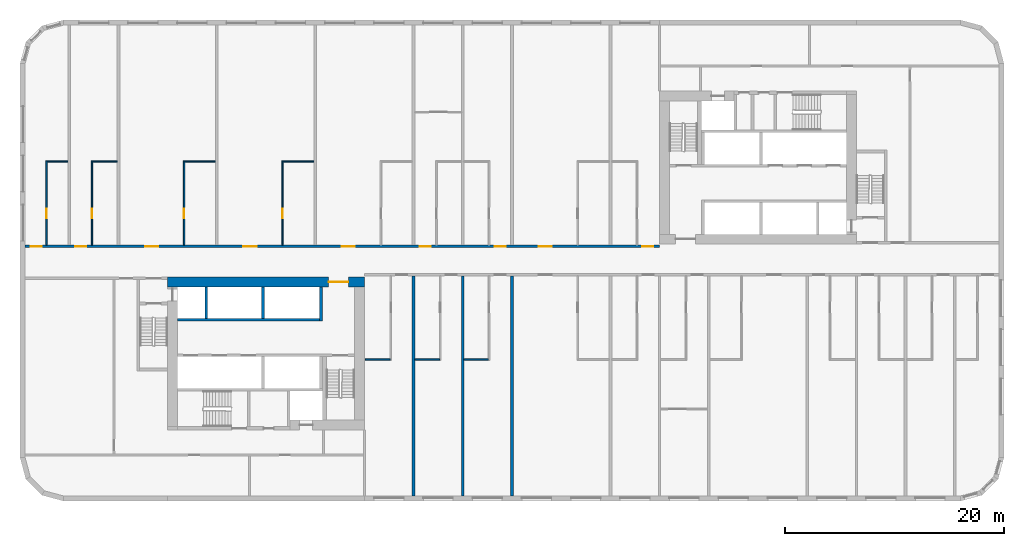
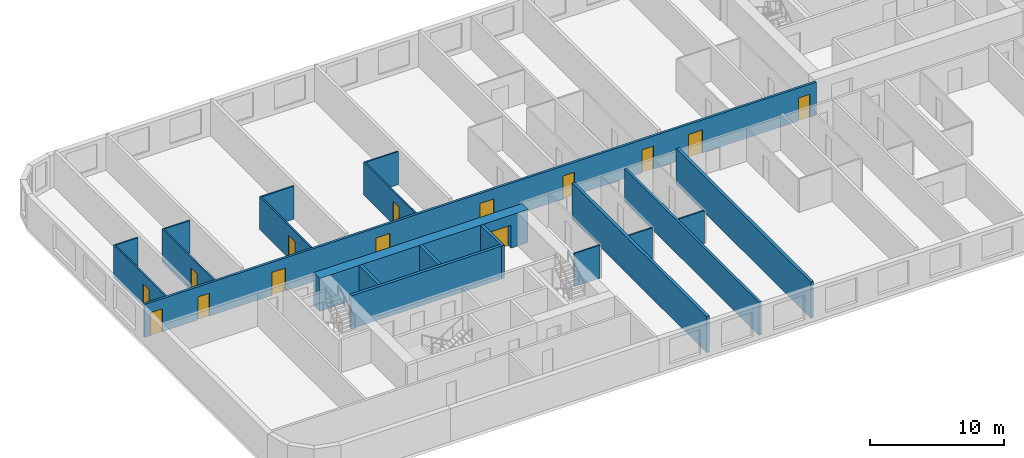
# One storey, part 3 of 12: 20 walls, 14 doors, 14 openings.
"""IFC4 building model written with IfcOpenShell, lengths in metres."""

import ifcopenshell
import ifcopenshell.guid

model = None  # the IFC model being written
_history = None  # IfcOwnerHistory: only IFC2X3 demands one
_inside = {}  # id of a spatial element -> (the spatial element, [elements in it])
_under = {}  # id of a project, library or spatial element -> (it, [spatial elements below it])
_declared = {}  # id of a project -> (the project, [libraries it declares])
_typed = {}  # id of a type object -> (the type object, [elements of that type])
_made_of = {}  # id of a material, layer set ... -> (it, [elements and type objects made of it])


def new_model(schema):
    """Start an empty IFC model of exactly this schema.

    Asked for "IFC4X3", IfcOpenShell would pick the latest addendum, in which some entities
    have other attributes; the version numbers below select the first issue.
    IFC2X3 requires an IfcOwnerHistory on every rooted entity: one is made here for all.
    """
    global model, _history
    if schema == "IFC4X3":
        model = ifcopenshell.file(schema_version=(4, 3, 0, 0))
    else:
        model = ifcopenshell.file(schema=schema)
    _inside.clear()
    _under.clear()
    _declared.clear()
    _typed.clear()
    _made_of.clear()
    _history = None
    if model.schema == "IFC2X3":
        org = make("IfcOrganization", Name="unknown")
        user = make(
            "IfcPersonAndOrganization",
            ThePerson=make("IfcPerson", FamilyName="unknown"),
            TheOrganization=org,
        )
        app = make(
            "IfcApplication",
            ApplicationDeveloper=org,
            Version="unknown",
            ApplicationFullName="unknown",
            ApplicationIdentifier="unknown",
        )
        _history = make(
            "IfcOwnerHistory",
            OwningUser=user,
            OwningApplication=app,
            ChangeAction="ADDED",
            CreationDate=0,
        )
    return model


def make(cls, **values):
    """One entity of the class cls with the attributes given. An attribute that is None is left unset."""
    return model.create_entity(
        cls, **{name: value for name, value in values.items() if value is not None}
    )


def rooted(cls, **values):
    """An entity with a GlobalId (a new one), such as an element, a storey or a relation."""
    return make(cls, GlobalId=ifcopenshell.guid.new(), OwnerHistory=_history, **values)


def si_unit(unit_type, name, prefix=None):
    """IfcSIUnit, for example si_unit("LENGTHUNIT", "METRE", prefix="MILLI")."""
    return make("IfcSIUnit", UnitType=unit_type, Prefix=prefix, Name=name)


def assignment(units):
    """IfcUnitAssignment: the units of a project."""
    return None if units is None else make("IfcUnitAssignment", Units=units)


def point(xyz):
    """IfcCartesianPoint."""
    return None if xyz is None else make("IfcCartesianPoint", Coordinates=xyz)


def direction(xyz):
    """IfcDirection."""
    return None if xyz is None else make("IfcDirection", DirectionRatios=xyz)


def frame(location, z_axis=None, x_axis=None):
    """IfcAxis2Placement3D, a coordinate frame: its origin and axes. An axis left out is left unset."""
    return make(
        "IfcAxis2Placement3D",
        Location=point(location),
        Axis=direction(z_axis),
        RefDirection=direction(x_axis),
    )


def frame_2d(location, x_axis=None):
    """IfcAxis2Placement2D, a coordinate frame in the plane: its origin and x axis."""
    return make(
        "IfcAxis2Placement2D", Location=point(location), RefDirection=direction(x_axis)
    )


def origin():
    """The frame at (0, 0, 0) with its axes left unset."""
    return frame((0.0, 0.0, 0.0))


def place(relative_to, where):
    """IfcLocalPlacement: puts the frame where relative to a parent placement (None: the world)."""
    return make(
        "IfcLocalPlacement", PlacementRelTo=relative_to, RelativePlacement=where
    )


def context(
    kind, dimensions, precision=None, world=None, true_north=None, identifier=None
):
    """IfcGeometricRepresentationContext, for example the 3D "Model" context."""
    return make(
        "IfcGeometricRepresentationContext",
        ContextIdentifier=identifier,
        ContextType=kind,
        CoordinateSpaceDimension=dimensions,
        Precision=precision,
        WorldCoordinateSystem=world,
        TrueNorth=true_north,
    )


def subcontext(parent, identifier, kind, view, scale=None):
    """IfcGeometricRepresentationSubContext, for example "Body" below "Model"."""
    return make(
        "IfcGeometricRepresentationSubContext",
        ContextIdentifier=identifier,
        ContextType=kind,
        ParentContext=parent,
        TargetScale=scale,
        TargetView=view,
    )


def project(units=None, contexts=None):
    """IfcProject with its units and contexts."""
    return rooted(
        "IfcProject",
        Name="project",
        RepresentationContexts=contexts,
        UnitsInContext=assignment(units),
    )


def spatial(cls, under=None, at=None, **own):
    """A site, building, storey or space (cls), placed at a placement, below another one or the project."""
    s = rooted(cls, ObjectPlacement=at, **own)
    if under is not None:
        _under.setdefault(under.id(), (under, []))[1].append(s)
    return s


def profile(cls, at=None, kind="AREA", **sizes):
    """A parametric profile (cls). Its sizes go by their IFC names, for example OverallWidth=200.0."""
    return make(cls, ProfileType=kind, Position=at, **sizes)


def rectangle(**sizes):
    """IfcRectangleProfileDef."""
    return profile("IfcRectangleProfileDef", **sizes)


def extrude(swept, where, along, depth):
    """IfcExtrudedAreaSolid: the profile swept, set in the frame where, extruded along a direction by depth."""
    return make(
        "IfcExtrudedAreaSolid",
        SweptArea=swept,
        Position=where,
        ExtrudedDirection=direction(along),
        Depth=depth,
    )


def shape(context_of_items, identifier, shape_type, items):
    """IfcShapeRepresentation: the items that make up one representation, for example the "Body"."""
    return make(
        "IfcShapeRepresentation",
        ContextOfItems=context_of_items,
        RepresentationIdentifier=identifier,
        RepresentationType=shape_type,
        Items=items,
    )


def material(Name=None, Category=None):
    """IfcMaterial."""
    return make("IfcMaterial", Name=Name, Category=Category)


def layer(
    of_material, thickness, ventilated=None, Name=None, Category=None, Priority=None
):
    """IfcMaterialLayer: one layer of a wall or slab, of a material (None: an air gap)."""
    return make(
        "IfcMaterialLayer",
        Material=of_material,
        LayerThickness=thickness,
        IsVentilated=ventilated,
        Name=Name,
        Category=Category,
        Priority=Priority,
    )


def layer_set(layers, Name=None):
    """IfcMaterialLayerSet."""
    return make("IfcMaterialLayerSet", MaterialLayers=layers, LayerSetName=Name)


def made_of(thing, what):
    """Note that an element or type object is made of a material, layer set ...; save() writes the relation."""
    if what is not None:
        _made_of.setdefault(what.id(), (what, []))[1].append(thing)
    return thing


def type_object(cls, material=None, **own):
    """A type object (cls), such as IfcWallType, which elements share."""
    return made_of(rooted(cls, **own), material)


def element(
    cls,
    number,
    at=None,
    inside=None,
    cuts=None,
    type_object=None,
    material=None,
    context=None,
    identifier="Body",
    shape_type=None,
    held_by="IfcProductDefinitionShape",
    body=None,
    shapes=None,
    **own,
):
    """One element of the class cls, such as IfcWall. Its Tag is "e" and its number.

    at: its placement. inside: the storey or other place that contains it. cuts: it is an
    opening in that element (IfcRelVoidsElement). A single representation is given by context,
    identifier, shape_type and body (its items); several are given by shapes. held_by: the class
    of the entity that holds the representations. save() writes the other relations.
    """
    e = rooted(cls, Tag="e%d" % number, ObjectPlacement=at, **own)
    if body is not None:
        shapes = [shape(context, identifier, shape_type, body)]
    if shapes is not None:
        e.Representation = make(held_by, Representations=shapes)
    if inside is not None:
        _inside.setdefault(inside.id(), (inside, []))[1].append(e)
    if cuts is not None:
        rooted(
            "IfcRelVoidsElement", RelatingBuildingElement=cuts, RelatedOpeningElement=e
        )
    if type_object is not None:
        _typed.setdefault(type_object.id(), (type_object, []))[1].append(e)
    return made_of(e, material)


def fill(opening, filler):
    """IfcRelFillsElement: the door or window that sits in an opening."""
    return rooted(
        "IfcRelFillsElement",
        RelatingOpeningElement=opening,
        RelatedBuildingElement=filler,
    )


def aggregate(whole, parts):
    """IfcRelAggregates: a whole, such as a stair, and the parts it consists of."""
    return rooted("IfcRelAggregates", RelatingObject=whole, RelatedObjects=parts)


def save(model, path):
    """Write the relations noted so far, then the file.

    IfcRelAggregates (storeys below a building ...), IfcRelContainedInSpatialStructure (elements
    in a storey), IfcRelDefinesByType, IfcRelAssociatesMaterial and IfcRelDeclares: one each for
    every whole, place, type object, material and project.
    """
    for whole, parts in _under.values():
        aggregate(whole, parts)
    for where, things in _inside.values():
        rooted(
            "IfcRelContainedInSpatialStructure",
            RelatedElements=things,
            RelatingStructure=where,
        )
    for kind, things in _typed.values():
        rooted("IfcRelDefinesByType", RelatedObjects=things, RelatingType=kind)
    for what, things in _made_of.values():
        rooted("IfcRelAssociatesMaterial", RelatedObjects=things, RelatingMaterial=what)
    for by, libraries in _declared.values():
        rooted("IfcRelDeclares", RelatingContext=by, RelatedDefinitions=libraries)
    model.write(path)


model = new_model("IFC4")

# Units and contexts
model_context = context("Model", 3, precision=1e-05, world=origin(), true_north=direction((0.0, 1.0)))
body_context = subcontext(model_context, "Body", "Model", "MODEL_VIEW")
ifc_project = project(units=[si_unit("LENGTHUNIT", "METRE"), si_unit("AREAUNIT", "SQUARE_METRE"), si_unit("VOLUMEUNIT", "CUBIC_METRE"), si_unit("PLANEANGLEUNIT", "RADIAN"), si_unit("MASSUNIT", "GRAM", prefix="KILO")], contexts=[model_context])

# Site, building, storey
site_placement = place(None, origin())
site = spatial("IfcSite", under=ifc_project, at=site_placement, CompositionType="ELEMENT")
building_placement = place(site_placement, origin())
building = spatial("IfcBuilding", under=site, at=building_placement, Name="Kajstack Hotel Tower", CompositionType="ELEMENT")
storey_placement = place(building_placement, frame((0.0, 0.0, 83.10009765625)))
storey = spatial("IfcBuildingStorey", under=building, at=storey_placement, Name="L16", CompositionType="ELEMENT", Elevation=83.10009765625)

# Wall, opening, door
ifc_material_1 = material(Name="Concrete C60/75", Category="concrete")
ifc_layer_1 = layer(ifc_material_1, 0.89990234375)
ifc_layer_set_1 = layer_set([ifc_layer_1], Name="Core wall 900")
wall_type_1 = type_object("IfcWallType", Name="Core wall 900", PredefinedType="SHEAR", material=ifc_layer_set_1)
wall_1_placement = place(storey_placement, frame((-31.5, -1.949951171875, 0.0), z_axis=(0.0, 0.0, 1.0), x_axis=(1.0, 0.0, 0.0)))
wall_1 = element("IfcWall", 1, at=wall_1_placement, inside=storey, type_object=wall_type_1, Name="Core wall W RN", PredefinedType="SHEAR", context=body_context, shape_type="SweptSolid", body=[
    extrude(rectangle(XDim=18.0, YDim=0.89990234375, at=frame_2d((9.0, 0.0))), origin(), (0.0, 0.0, 1.0), 3.02001953125),
])
opening_1_placement = place(wall_1_placement, frame((14.72509765625, 0.0, 0.0)))
opening_1 = element("IfcOpeningElement", 2, at=opening_1_placement, cuts=wall_1, Name="Opening 16W06", PredefinedType="OPENING", context=body_context, shape_type="SweptSolid", body=[
    extrude(rectangle(XDim=1.800048828125, YDim=2.10009765625, at=frame_2d((0.89990234375, 1.050048828125))), frame((0.0, 0.4599609375, 0.0), z_axis=(0.0, -1.0, 0.0), x_axis=(1.0, 0.0, 0.0)), (0.0, 0.0, 1.0), 0.919921875),
])
ifc_material_2 = material(Name="Glazed steel frame, fire-rated glass", Category="steel")
door_type_1 = type_object("IfcDoorType", Name="Lobby double door 1800", OperationType="DOUBLE_DOOR_DOUBLE_SWING", PredefinedType="DOOR", material=ifc_material_2)
door_1_placement = place(opening_1_placement, origin())
door_1 = element("IfcDoor", 3, at=door_1_placement, inside=storey, type_object=door_type_1, Name="Door 16W06", OperationType="DOUBLE_DOOR_DOUBLE_SWING", OverallHeight=2.10009765625, OverallWidth=1.800048828125, PredefinedType="DOOR", context=body_context, shape_type="SweptSolid", body=[
    extrude(rectangle(XDim=1.800048828125, YDim=2.10009765625, at=frame_2d((0.89990234375, 1.050048828125))), frame((0.0, 0.02490234375, 0.0), z_axis=(0.0, -1.0, 0.0), x_axis=(1.0, 0.0, 0.0)), (0.0, 0.0, 1.0), 0.050048828125),
])
fill(opening_1, door_1)

# Wall, openings, doors
ifc_material_3 = material(Name="Gypsum board on steel studs, mineral wool", Category="steel")
ifc_layer_2 = layer(ifc_material_3, 0.199951171875)
ifc_layer_set_2 = layer_set([ifc_layer_2], Name="Corridor wall 200")
wall_type_2 = type_object("IfcWallType", Name="Corridor wall 200", PredefinedType="PARTITIONING", material=ifc_layer_set_2)
wall_2_placement = place(storey_placement, frame((-44.550048828125, 1.300048828125, 0.0), z_axis=(0.0, 0.0, 1.0), x_axis=(1.0, 0.0, 0.0)))
wall_2 = element("IfcWall", 4, at=wall_2_placement, inside=storey, type_object=wall_type_2, Name="G-wall-L16-003", PredefinedType="PARTITIONING", context=body_context, shape_type="SweptSolid", body=[
    extrude(rectangle(XDim=58.050048828125, YDim=0.199951171875, at=frame_2d((29.02490234375, 0.0))), origin(), (0.0, 0.0, 1.0), 3.02001953125),
])
opening_2_placement = place(wall_2_placement, frame((0.52490234375, 0.0, 0.0)))
opening_2 = element("IfcOpeningElement", 5, at=opening_2_placement, cuts=wall_2, Name="Opening 16001", PredefinedType="OPENING", context=body_context, shape_type="SweptSolid", body=[
    extrude(rectangle(XDim=1.0, YDim=2.10009765625, at=frame_2d((0.5, 1.050048828125))), frame((0.0, 0.10986328125, 0.0), z_axis=(0.0, -1.0, 0.0), x_axis=(1.0, 0.0, 0.0)), (0.0, 0.0, 1.0), 0.219970703125),
])
opening_3_placement = place(wall_2_placement, frame((4.625, 0.0, 0.0)))
opening_3 = element("IfcOpeningElement", 6, at=opening_3_placement, cuts=wall_2, Name="Opening 16003", PredefinedType="OPENING", context=body_context, shape_type="SweptSolid", body=[
    extrude(rectangle(XDim=1.0, YDim=2.10009765625, at=frame_2d((0.5, 1.050048828125))), frame((0.0, 0.10986328125, 0.0), z_axis=(0.0, -1.0, 0.0), x_axis=(1.0, 0.0, 0.0)), (0.0, 0.0, 1.0), 0.219970703125),
])
opening_4_placement = place(wall_2_placement, frame((10.987060546875, 0.0, 0.0)))
opening_4 = element("IfcOpeningElement", 7, at=opening_4_placement, cuts=wall_2, Name="Opening 16005", PredefinedType="OPENING", context=body_context, shape_type="SweptSolid", body=[
    extrude(rectangle(XDim=1.199951171875, YDim=2.10009765625, at=frame_2d((0.60009765625, 1.050048828125))), frame((0.0, 0.10986328125, 0.0), z_axis=(0.0, -1.0, 0.0), x_axis=(1.0, 0.0, 0.0)), (0.0, 0.0, 1.0), 0.219970703125),
])
opening_5_placement = place(wall_2_placement, frame((19.987060546875, 0.0, 0.0)))
opening_5 = element("IfcOpeningElement", 8, at=opening_5_placement, cuts=wall_2, Name="Opening 16007", PredefinedType="OPENING", context=body_context, shape_type="SweptSolid", body=[
    extrude(rectangle(XDim=1.199951171875, YDim=2.10009765625, at=frame_2d((0.60009765625, 1.050048828125))), frame((0.0, 0.10986328125, 0.0), z_axis=(0.0, -1.0, 0.0), x_axis=(1.0, 0.0, 0.0)), (0.0, 0.0, 1.0), 0.219970703125),
])
opening_6_placement = place(wall_2_placement, frame((28.987060546875, 0.0, 0.0)))
opening_6 = element("IfcOpeningElement", 9, at=opening_6_placement, cuts=wall_2, Name="Opening 16009", PredefinedType="OPENING", context=body_context, shape_type="SweptSolid", body=[
    extrude(rectangle(XDim=1.199951171875, YDim=2.10009765625, at=frame_2d((0.60009765625, 1.050048828125))), frame((0.0, 0.10986328125, 0.0), z_axis=(0.0, -1.0, 0.0), x_axis=(1.0, 0.0, 0.0)), (0.0, 0.0, 1.0), 0.219970703125),
])
opening_7_placement = place(wall_2_placement, frame((36.125, 0.0, 0.0)))
opening_7 = element("IfcOpeningElement", 10, at=opening_7_placement, cuts=wall_2, Name="Opening 16011", PredefinedType="OPENING", context=body_context, shape_type="SweptSolid", body=[
    extrude(rectangle(XDim=1.0, YDim=2.10009765625, at=frame_2d((0.5, 1.050048828125))), frame((0.0, 0.10986328125, 0.0), z_axis=(0.0, -1.0, 0.0), x_axis=(1.0, 0.0, 0.0)), (0.0, 0.0, 1.0), 0.219970703125),
])
opening_8_placement = place(wall_2_placement, frame((42.97509765625, 0.0, 0.0)))
opening_8 = element("IfcOpeningElement", 11, at=opening_8_placement, cuts=wall_2, Name="Opening 16014", PredefinedType="OPENING", context=body_context, shape_type="SweptSolid", body=[
    extrude(rectangle(XDim=1.0, YDim=2.10009765625, at=frame_2d((0.5, 1.050048828125))), frame((0.0, 0.10986328125, 0.0), z_axis=(0.0, -1.0, 0.0), x_axis=(1.0, 0.0, 0.0)), (0.0, 0.0, 1.0), 0.219970703125),
])
opening_9_placement = place(wall_2_placement, frame((46.987060546875, 0.0, 0.0)))
opening_9 = element("IfcOpeningElement", 12, at=opening_9_placement, cuts=wall_2, Name="Opening 16016", PredefinedType="OPENING", context=body_context, shape_type="SweptSolid", body=[
    extrude(rectangle(XDim=1.199951171875, YDim=2.10009765625, at=frame_2d((0.60009765625, 1.050048828125))), frame((0.0, 0.10986328125, 0.0), z_axis=(0.0, -1.0, 0.0), x_axis=(1.0, 0.0, 0.0)), (0.0, 0.0, 1.0), 0.219970703125),
])
opening_10_placement = place(wall_2_placement, frame((56.47509765625, 0.0, 0.0)))
opening_10 = element("IfcOpeningElement", 13, at=opening_10_placement, cuts=wall_2, Name="Opening 16018", PredefinedType="OPENING", context=body_context, shape_type="SweptSolid", body=[
    extrude(rectangle(XDim=1.0, YDim=2.10009765625, at=frame_2d((0.5, 1.050048828125))), frame((0.0, 0.10986328125, 0.0), z_axis=(0.0, -1.0, 0.0), x_axis=(1.0, 0.0, 0.0)), (0.0, 0.0, 1.0), 0.219970703125),
])
ifc_material_4 = material(Name="Oak veneer on timber core, fire-rated leaf", Category="wood")
door_type_2 = type_object("IfcDoorType", Name="Flat entrance door 1000", OperationType="SINGLE_SWING_LEFT", PredefinedType="DOOR", material=ifc_material_4)
door_2_placement = place(opening_2_placement, origin())
door_2 = element("IfcDoor", 14, at=door_2_placement, inside=storey, type_object=door_type_2, Name="G-door-L16-01", OperationType="SINGLE_SWING_LEFT", OverallHeight=2.10009765625, OverallWidth=1.0, PredefinedType="DOOR", context=body_context, shape_type="SweptSolid", body=[
    extrude(rectangle(XDim=1.0, YDim=2.10009765625, at=frame_2d((0.5, 1.050048828125))), frame((0.0, 0.02490234375, 0.0), z_axis=(0.0, -1.0, 0.0), x_axis=(1.0, 0.0, 0.0)), (0.0, 0.0, 1.0), 0.050048828125),
])
fill(opening_2, door_2)
door_3_placement = place(opening_3_placement, origin())
door_3 = element("IfcDoor", 15, at=door_3_placement, inside=storey, type_object=door_type_2, Name="G-door-L16-03", OperationType="SINGLE_SWING_LEFT", OverallHeight=2.10009765625, OverallWidth=1.0, PredefinedType="DOOR", context=body_context, shape_type="SweptSolid", body=[
    extrude(rectangle(XDim=1.0, YDim=2.10009765625, at=frame_2d((0.5, 1.050048828125))), frame((0.0, 0.02490234375, 0.0), z_axis=(0.0, -1.0, 0.0), x_axis=(1.0, 0.0, 0.0)), (0.0, 0.0, 1.0), 0.050048828125),
])
fill(opening_3, door_3)
door_4_placement = place(opening_7_placement, origin())
door_4 = element("IfcDoor", 16, at=door_4_placement, inside=storey, type_object=door_type_2, Name="G-door-L16-11", OperationType="SINGLE_SWING_LEFT", OverallHeight=2.10009765625, OverallWidth=1.0, PredefinedType="DOOR", context=body_context, shape_type="SweptSolid", body=[
    extrude(rectangle(XDim=1.0, YDim=2.10009765625, at=frame_2d((0.5, 1.050048828125))), frame((0.0, 0.02490234375, 0.0), z_axis=(0.0, -1.0, 0.0), x_axis=(1.0, 0.0, 0.0)), (0.0, 0.0, 1.0), 0.050048828125),
])
fill(opening_7, door_4)
door_5_placement = place(opening_8_placement, origin())
door_5 = element("IfcDoor", 17, at=door_5_placement, inside=storey, type_object=door_type_2, Name="G-door-L16-14", OperationType="SINGLE_SWING_RIGHT", OverallHeight=2.10009765625, OverallWidth=1.0, PredefinedType="DOOR", context=body_context, shape_type="SweptSolid", body=[
    extrude(rectangle(XDim=1.0, YDim=2.10009765625, at=frame_2d((0.5, 1.050048828125))), frame((0.0, 0.02490234375, 0.0), z_axis=(0.0, -1.0, 0.0), x_axis=(1.0, 0.0, 0.0)), (0.0, 0.0, 1.0), 0.050048828125),
])
fill(opening_8, door_5)
door_6_placement = place(opening_10_placement, origin())
door_6 = element("IfcDoor", 18, at=door_6_placement, inside=storey, type_object=door_type_2, Name="G-door-L16-18", OperationType="SINGLE_SWING_LEFT", OverallHeight=2.10009765625, OverallWidth=1.0, PredefinedType="DOOR", context=body_context, shape_type="SweptSolid", body=[
    extrude(rectangle(XDim=1.0, YDim=2.10009765625, at=frame_2d((0.5, 1.050048828125))), frame((0.0, 0.02490234375, 0.0), z_axis=(0.0, -1.0, 0.0), x_axis=(1.0, 0.0, 0.0)), (0.0, 0.0, 1.0), 0.050048828125),
])
fill(opening_10, door_6)
door_type_3 = type_object("IfcDoorType", Name="Flat entrance door 1200", OperationType="SINGLE_SWING_LEFT", PredefinedType="DOOR", material=ifc_material_4)
door_7_placement = place(opening_4_placement, origin())
door_7 = element("IfcDoor", 19, at=door_7_placement, inside=storey, type_object=door_type_3, Name="G-door-L16-05", OperationType="SINGLE_SWING_RIGHT", OverallHeight=2.10009765625, OverallWidth=1.199951171875, PredefinedType="DOOR", context=body_context, shape_type="SweptSolid", body=[
    extrude(rectangle(XDim=1.199951171875, YDim=2.10009765625, at=frame_2d((0.60009765625, 1.050048828125))), frame((0.0, 0.02490234375, 0.0), z_axis=(0.0, -1.0, 0.0), x_axis=(1.0, 0.0, 0.0)), (0.0, 0.0, 1.0), 0.050048828125),
])
fill(opening_4, door_7)
door_8_placement = place(opening_5_placement, origin())
door_8 = element("IfcDoor", 20, at=door_8_placement, inside=storey, type_object=door_type_3, Name="G-door-L16-07", OperationType="SINGLE_SWING_RIGHT", OverallHeight=2.10009765625, OverallWidth=1.199951171875, PredefinedType="DOOR", context=body_context, shape_type="SweptSolid", body=[
    extrude(rectangle(XDim=1.199951171875, YDim=2.10009765625, at=frame_2d((0.60009765625, 1.050048828125))), frame((0.0, 0.02490234375, 0.0), z_axis=(0.0, -1.0, 0.0), x_axis=(1.0, 0.0, 0.0)), (0.0, 0.0, 1.0), 0.050048828125),
])
fill(opening_5, door_8)
door_9_placement = place(opening_6_placement, origin())
door_9 = element("IfcDoor", 21, at=door_9_placement, inside=storey, type_object=door_type_3, Name="G-door-L16-09", OperationType="SINGLE_SWING_LEFT", OverallHeight=2.10009765625, OverallWidth=1.199951171875, PredefinedType="DOOR", context=body_context, shape_type="SweptSolid", body=[
    extrude(rectangle(XDim=1.199951171875, YDim=2.10009765625, at=frame_2d((0.60009765625, 1.050048828125))), frame((0.0, 0.02490234375, 0.0), z_axis=(0.0, -1.0, 0.0), x_axis=(1.0, 0.0, 0.0)), (0.0, 0.0, 1.0), 0.050048828125),
])
fill(opening_6, door_9)
door_10_placement = place(opening_9_placement, origin())
door_10 = element("IfcDoor", 22, at=door_10_placement, inside=storey, type_object=door_type_3, Name="G-door-L16-16", OperationType="SINGLE_SWING_RIGHT", OverallHeight=2.10009765625, OverallWidth=1.199951171875, PredefinedType="DOOR", context=body_context, shape_type="SweptSolid", body=[
    extrude(rectangle(XDim=1.199951171875, YDim=2.10009765625, at=frame_2d((0.60009765625, 1.050048828125))), frame((0.0, 0.02490234375, 0.0), z_axis=(0.0, -1.0, 0.0), x_axis=(1.0, 0.0, 0.0)), (0.0, 0.0, 1.0), 0.050048828125),
])
fill(opening_9, door_10)

# Wall
ifc_material_5 = material(Name="Twin-frame gypsum board on steel studs, mineral wool", Category="steel")
ifc_layer_3 = layer(ifc_material_5, 0.199951171875)
ifc_layer_set_3 = layer_set([ifc_layer_3], Name="Demising wall 200")
wall_type_3 = type_object("IfcWallType", Name="Demising wall 200", PredefinedType="PARTITIONING", material=ifc_layer_set_3)
wall_3_placement = place(storey_placement, frame((-4.5, -21.550048828125, 0.0), z_axis=(0.0, 0.0, 1.0), x_axis=(0.0, 1.0, 0.0)))
element("IfcWall", 23, at=wall_3_placement, inside=storey, type_object=wall_type_3, Name="G-wall-L16-027", PredefinedType="PARTITIONING", context=body_context, shape_type="SweptSolid", body=[
    extrude(rectangle(XDim=20.150146484375, YDim=0.199951171875, at=frame_2d((10.0751953125, 0.0))), origin(), (0.0, 0.0, 1.0), 3.02001953125),
])

# Wall, opening, door
ifc_material_6 = material(Name="Gypsum board and tiled backer on steel studs", Category="steel")
ifc_layer_4 = layer(ifc_material_6, 0.125)
ifc_layer_set_4 = layer_set([ifc_layer_4], Name="En-suite wall 125")
wall_type_4 = type_object("IfcWallType", Name="En-suite wall 125", PredefinedType="PARTITIONING", material=ifc_layer_set_4)
wall_4_placement = place(storey_placement, frame((-42.5869140625, 1.39990234375, 0.0), z_axis=(0.0, 0.0, 1.0), x_axis=(0.0, 1.0, 0.0)))
wall_4 = element("IfcWall", 24, at=wall_4_placement, inside=storey, type_object=wall_type_4, Name="G-wall-L16-004", PredefinedType="PARTITIONING", context=body_context, shape_type="SweptSolid", body=[
    extrude(rectangle(XDim=7.72509765625, YDim=0.125, at=frame_2d((3.862548828125, 0.0))), origin(), (0.0, 0.0, 1.0), 3.02001953125),
])
opening_11_placement = place(wall_4_placement, frame((2.449951171875, 0.0, 0.0)))
opening_11 = element("IfcOpeningElement", 25, at=opening_11_placement, cuts=wall_4, Name="Opening 16002", PredefinedType="OPENING", context=body_context, shape_type="SweptSolid", body=[
    extrude(rectangle(XDim=0.89990234375, YDim=2.10009765625, at=frame_2d((0.449951171875, 1.050048828125))), frame((0.0, 0.072509765625, 0.0), z_axis=(0.0, -1.0, 0.0), x_axis=(1.0, 0.0, 0.0)), (0.0, 0.0, 1.0), 0.14501953125),
])
ifc_material_7 = material(Name="Painted timber door leaf", Category="wood")
door_type_4 = type_object("IfcDoorType", Name="Room door 900", OperationType="SINGLE_SWING_LEFT", PredefinedType="DOOR", material=ifc_material_7)
door_11_placement = place(opening_11_placement, origin())
door_11 = element("IfcDoor", 26, at=door_11_placement, inside=storey, type_object=door_type_4, Name="G-door-L16-02", OperationType="SINGLE_SWING_RIGHT", OverallHeight=2.10009765625, OverallWidth=0.89990234375, PredefinedType="DOOR", context=body_context, shape_type="SweptSolid", body=[
    extrude(rectangle(XDim=0.89990234375, YDim=2.10009765625, at=frame_2d((0.449951171875, 1.050048828125))), frame((0.0, 0.02490234375, 0.0), z_axis=(0.0, -1.0, 0.0), x_axis=(1.0, 0.0, 0.0)), (0.0, 0.0, 1.0), 0.050048828125),
])
fill(opening_11, door_11)

# Wall
wall_5_placement = place(storey_placement, frame((-42.52490234375, 9.06201171875, 0.0), z_axis=(0.0, 0.0, 1.0), x_axis=(1.0, 0.0, 0.0)))
element("IfcWall", 27, at=wall_5_placement, inside=storey, type_object=wall_type_4, Name="G-wall-L16-005", PredefinedType="PARTITIONING", context=body_context, shape_type="SweptSolid", body=[
    extrude(rectangle(XDim=1.89990234375, YDim=0.125, at=frame_2d((0.949951171875, 0.0))), origin(), (0.0, 0.0, 1.0), 3.02001953125),
])

# Wall, opening, door
wall_6_placement = place(storey_placement, frame((-38.4130859375, 1.39990234375, 0.0), z_axis=(0.0, 0.0, 1.0), x_axis=(0.0, 1.0, 0.0)))
wall_6 = element("IfcWall", 28, at=wall_6_placement, inside=storey, type_object=wall_type_4, Name="G-wall-L16-006", PredefinedType="PARTITIONING", context=body_context, shape_type="SweptSolid", body=[
    extrude(rectangle(XDim=7.72509765625, YDim=0.125, at=frame_2d((3.862548828125, 0.0))), origin(), (0.0, 0.0, 1.0), 3.02001953125),
])
opening_12_placement = place(wall_6_placement, frame((2.449951171875, 0.0, 0.0)))
opening_12 = element("IfcOpeningElement", 29, at=opening_12_placement, cuts=wall_6, Name="Opening 16004", PredefinedType="OPENING", context=body_context, shape_type="SweptSolid", body=[
    extrude(rectangle(XDim=0.89990234375, YDim=2.10009765625, at=frame_2d((0.449951171875, 1.050048828125))), frame((0.0, 0.072509765625, 0.0), z_axis=(0.0, -1.0, 0.0), x_axis=(1.0, 0.0, 0.0)), (0.0, 0.0, 1.0), 0.14501953125),
])
door_12_placement = place(opening_12_placement, origin())
door_12 = element("IfcDoor", 30, at=door_12_placement, inside=storey, type_object=door_type_4, Name="G-door-L16-04", OperationType="SINGLE_SWING_RIGHT", OverallHeight=2.10009765625, OverallWidth=0.89990234375, PredefinedType="DOOR", context=body_context, shape_type="SweptSolid", body=[
    extrude(rectangle(XDim=0.89990234375, YDim=2.10009765625, at=frame_2d((0.449951171875, 1.050048828125))), frame((0.0, 0.02490234375, 0.0), z_axis=(0.0, -1.0, 0.0), x_axis=(1.0, 0.0, 0.0)), (0.0, 0.0, 1.0), 0.050048828125),
])
fill(opening_12, door_12)

# Wall
wall_7_placement = place(storey_placement, frame((-38.35009765625, 9.06201171875, 0.0), z_axis=(0.0, 0.0, 1.0), x_axis=(1.0, 0.0, 0.0)))
element("IfcWall", 31, at=wall_7_placement, inside=storey, type_object=wall_type_4, Name="G-wall-L16-007", PredefinedType="PARTITIONING", context=body_context, shape_type="SweptSolid", body=[
    extrude(rectangle(XDim=2.22509765625, YDim=0.125, at=frame_2d((1.112548828125, 0.0))), origin(), (0.0, 0.0, 1.0), 3.02001953125),
])

# Wall, opening, door
wall_8_placement = place(storey_placement, frame((-29.988037109375, 1.39990234375, 0.0), z_axis=(0.0, 0.0, 1.0), x_axis=(0.0, 1.0, 0.0)))
wall_8 = element("IfcWall", 32, at=wall_8_placement, inside=storey, type_object=wall_type_4, Name="G-wall-L16-008", PredefinedType="PARTITIONING", context=body_context, shape_type="SweptSolid", body=[
    extrude(rectangle(XDim=7.72509765625, YDim=0.125, at=frame_2d((3.862548828125, 0.0))), origin(), (0.0, 0.0, 1.0), 3.02001953125),
])
opening_13_placement = place(wall_8_placement, frame((2.449951171875, 0.0, 0.0)))
opening_13 = element("IfcOpeningElement", 33, at=opening_13_placement, cuts=wall_8, Name="Opening 16006", PredefinedType="OPENING", context=body_context, shape_type="SweptSolid", body=[
    extrude(rectangle(XDim=0.89990234375, YDim=2.10009765625, at=frame_2d((0.449951171875, 1.050048828125))), frame((0.0, 0.072509765625, 0.0), z_axis=(0.0, -1.0, 0.0), x_axis=(1.0, 0.0, 0.0)), (0.0, 0.0, 1.0), 0.14501953125),
])
door_13_placement = place(opening_13_placement, origin())
door_13 = element("IfcDoor", 34, at=door_13_placement, inside=storey, type_object=door_type_4, Name="G-door-L16-06", OperationType="SINGLE_SWING_RIGHT", OverallHeight=2.10009765625, OverallWidth=0.89990234375, PredefinedType="DOOR", context=body_context, shape_type="SweptSolid", body=[
    extrude(rectangle(XDim=0.89990234375, YDim=2.10009765625, at=frame_2d((0.449951171875, 1.050048828125))), frame((0.0, 0.02490234375, 0.0), z_axis=(0.0, -1.0, 0.0), x_axis=(1.0, 0.0, 0.0)), (0.0, 0.0, 1.0), 0.050048828125),
])
fill(opening_13, door_13)

# Wall
wall_9_placement = place(storey_placement, frame((-29.925048828125, 9.06201171875, 0.0), z_axis=(0.0, 0.0, 1.0), x_axis=(1.0, 0.0, 0.0)))
element("IfcWall", 35, at=wall_9_placement, inside=storey, type_object=wall_type_4, Name="G-wall-L16-009", PredefinedType="PARTITIONING", context=body_context, shape_type="SweptSolid", body=[
    extrude(rectangle(XDim=2.800048828125, YDim=0.125, at=frame_2d((1.39990234375, 0.0))), origin(), (0.0, 0.0, 1.0), 3.02001953125),
])

# Wall, opening, door
wall_10_placement = place(storey_placement, frame((-20.988037109375, 1.39990234375, 0.0), z_axis=(0.0, 0.0, 1.0), x_axis=(0.0, 1.0, 0.0)))
wall_10 = element("IfcWall", 36, at=wall_10_placement, inside=storey, type_object=wall_type_4, Name="G-wall-L16-010", PredefinedType="PARTITIONING", context=body_context, shape_type="SweptSolid", body=[
    extrude(rectangle(XDim=7.72509765625, YDim=0.125, at=frame_2d((3.862548828125, 0.0))), origin(), (0.0, 0.0, 1.0), 3.02001953125),
])
opening_14_placement = place(wall_10_placement, frame((2.449951171875, 0.0, 0.0)))
opening_14 = element("IfcOpeningElement", 37, at=opening_14_placement, cuts=wall_10, Name="Opening 16008", PredefinedType="OPENING", context=body_context, shape_type="SweptSolid", body=[
    extrude(rectangle(XDim=0.89990234375, YDim=2.10009765625, at=frame_2d((0.449951171875, 1.050048828125))), frame((0.0, 0.072509765625, 0.0), z_axis=(0.0, -1.0, 0.0), x_axis=(1.0, 0.0, 0.0)), (0.0, 0.0, 1.0), 0.14501953125),
])
door_14_placement = place(opening_14_placement, origin())
door_14 = element("IfcDoor", 38, at=door_14_placement, inside=storey, type_object=door_type_4, Name="G-door-L16-08", OperationType="SINGLE_SWING_RIGHT", OverallHeight=2.10009765625, OverallWidth=0.89990234375, PredefinedType="DOOR", context=body_context, shape_type="SweptSolid", body=[
    extrude(rectangle(XDim=0.89990234375, YDim=2.10009765625, at=frame_2d((0.449951171875, 1.050048828125))), frame((0.0, 0.02490234375, 0.0), z_axis=(0.0, -1.0, 0.0), x_axis=(1.0, 0.0, 0.0)), (0.0, 0.0, 1.0), 0.050048828125),
])
fill(opening_14, door_14)

# Walls
wall_11_placement = place(storey_placement, frame((-20.925048828125, 9.06201171875, 0.0), z_axis=(0.0, 0.0, 1.0), x_axis=(1.0, 0.0, 0.0)))
element("IfcWall", 39, at=wall_11_placement, inside=storey, type_object=wall_type_4, Name="G-wall-L16-011", PredefinedType="PARTITIONING", context=body_context, shape_type="SweptSolid", body=[
    extrude(rectangle(XDim=2.800048828125, YDim=0.125, at=frame_2d((1.39990234375, 0.0))), origin(), (0.0, 0.0, 1.0), 3.02001953125),
])
for number, where, z_axis, x_axis, name in (
    (40, (-13.39990234375, -9.06201171875, 0.0), (0.0, 0.0, 1.0), (1.0, 0.0, 0.0), "G-wall-L16-026"),
    (41, (-8.875, -9.06201171875, 0.0), (0.0, 0.0, 1.0), (1.0, 0.0, 0.0), "G-wall-L16-029"),
    (42, (-4.39990234375, -9.06201171875, 0.0), (0.0, 0.0, 1.0), (1.0, 0.0, 0.0), "G-wall-L16-031"),
):
    element("IfcWall", number, at=place(storey_placement, frame(where, z_axis=z_axis, x_axis=x_axis)), inside=storey, type_object=wall_type_4, Name=name, PredefinedType="PARTITIONING", context=body_context, shape_type="SweptSolid", body=[
        extrude(rectangle(XDim=2.25, YDim=0.125, at=frame_2d((1.125, 0.0))), origin(), (0.0, 0.0, 1.0), 3.02001953125),
    ])
ifc_material_8 = material(Name="Concrete C50/60", Category="concrete")
ifc_layer_5 = layer(ifc_material_8, 0.300048828125)
ifc_layer_set_5 = layer_set([ifc_layer_5], Name="Hoistway divider wall 300")
wall_type_5 = type_object("IfcWallType", Name="Hoistway divider wall 300", PredefinedType="SHEAR", material=ifc_layer_set_5)
wall_12_placement = place(storey_placement, frame((-22.77490234375, -5.300048828125, 0.0), z_axis=(0.0, 0.0, 1.0), x_axis=(0.0, 1.0, 0.0)))
element("IfcWall", 43, at=wall_12_placement, inside=storey, type_object=wall_type_5, Name="Core wall W AP2", PredefinedType="SHEAR", context=body_context, shape_type="SweptSolid", body=[
    extrude(rectangle(XDim=2.900146484375, YDim=0.25, at=frame_2d((1.4501953125, 0.0))), origin(), (0.0, 0.0, 1.0), 3.02001953125),
])
ifc_layer_6 = layer(ifc_material_1, 0.25)
ifc_layer_set_6 = layer_set([ifc_layer_6], Name="RC cross wall 250 C60/75")
wall_type_6 = type_object("IfcWallType", Name="RC cross wall 250 C60/75", PredefinedType="SHEAR", material=ifc_layer_set_6)
for number, where, z_axis, x_axis, name in (
    (44, (-9.0, -21.5400390625, 0.0), (0.0, 0.0, 1.0), (0.0, 1.0, 0.0), "S-wall-L16-05"),
    (45, (0.0, -21.5400390625, 0.0), (0.0, 0.0, 1.0), (0.0, 1.0, 0.0), "S-wall-L16-07"),
):
    element("IfcWall", number, at=place(storey_placement, frame(where, z_axis=z_axis, x_axis=x_axis)), inside=storey, type_object=wall_type_6, Name=name, PredefinedType="SHEAR", context=body_context, shape_type="SweptSolid", body=[
        extrude(rectangle(XDim=20.14013671875, YDim=0.25, at=frame_2d((10.070068359375, 0.0))), origin(), (0.0, 0.0, 1.0), 3.2998046875),
    ])
ifc_layer_7 = layer(ifc_material_8, 0.25)
ifc_layer_set_7 = layer_set([ifc_layer_7], Name="Shaft wall 250")
wall_type_7 = type_object("IfcWallType", Name="Shaft wall 250", PredefinedType="SHEAR", material=ifc_layer_set_7)
wall_13_placement = place(storey_placement, frame((-30.60009765625, -5.425048828125, 0.0), z_axis=(0.0, 0.0, 1.0), x_axis=(1.0, 0.0, 0.0)))
element("IfcWall", 46, at=wall_13_placement, inside=storey, type_object=wall_type_7, Name="Core wall W FA", PredefinedType="SHEAR", context=body_context, shape_type="SweptSolid", body=[
    extrude(rectangle(XDim=13.0, YDim=0.25, at=frame_2d((6.5, 0.0))), origin(), (0.0, 0.0, 1.0), 3.02001953125),
])
wall_14_placement = place(storey_placement, frame((-17.47509765625, -5.550048828125, 0.0), z_axis=(0.0, 0.0, 1.0), x_axis=(0.0, 1.0, 0.0)))
element("IfcWall", 47, at=wall_14_placement, inside=storey, type_object=wall_type_7, Name="Core wall W AE", PredefinedType="SHEAR", context=body_context, shape_type="SweptSolid", body=[
    extrude(rectangle(XDim=3.150146484375, YDim=0.25, at=frame_2d((1.5751953125, 0.0))), origin(), (0.0, 0.0, 1.0), 3.02001953125),
])
wall_15_placement = place(storey_placement, frame((-27.97509765625, -5.300048828125, 0.0), z_axis=(0.0, 0.0, 1.0), x_axis=(0.0, 1.0, 0.0)))
element("IfcWall", 48, at=wall_15_placement, inside=storey, type_object=wall_type_7, Name="Core wall W AP0", PredefinedType="SHEAR", context=body_context, shape_type="SweptSolid", body=[
    extrude(rectangle(XDim=2.900146484375, YDim=0.25, at=frame_2d((1.4501953125, 0.0))), origin(), (0.0, 0.0, 1.0), 3.02001953125),
])

save(model, "model.ifc")
